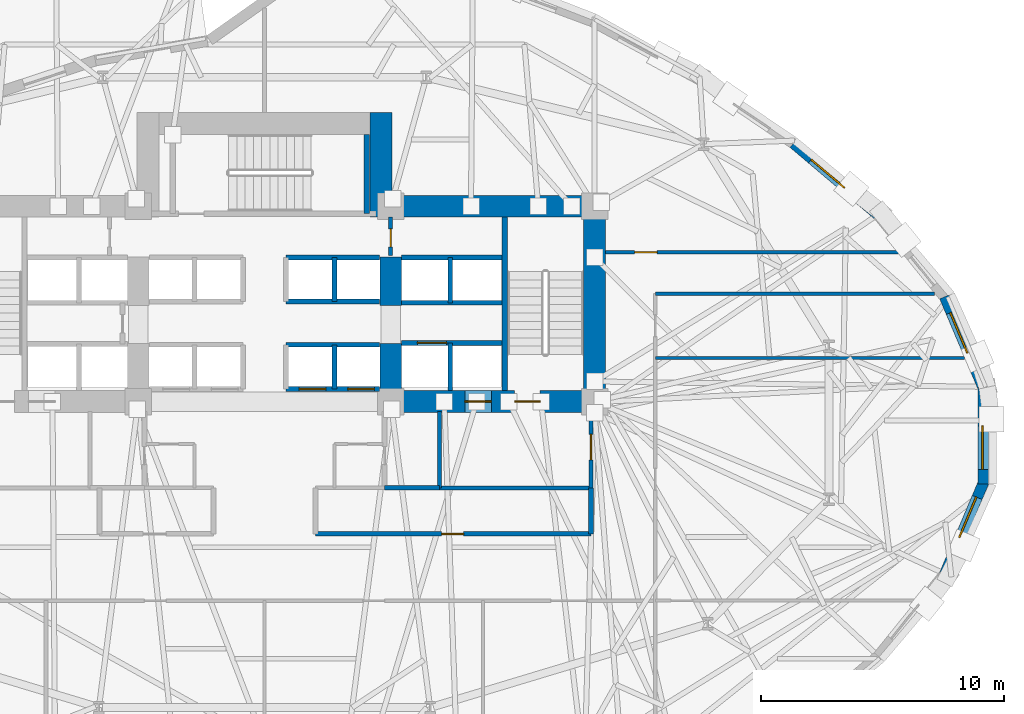
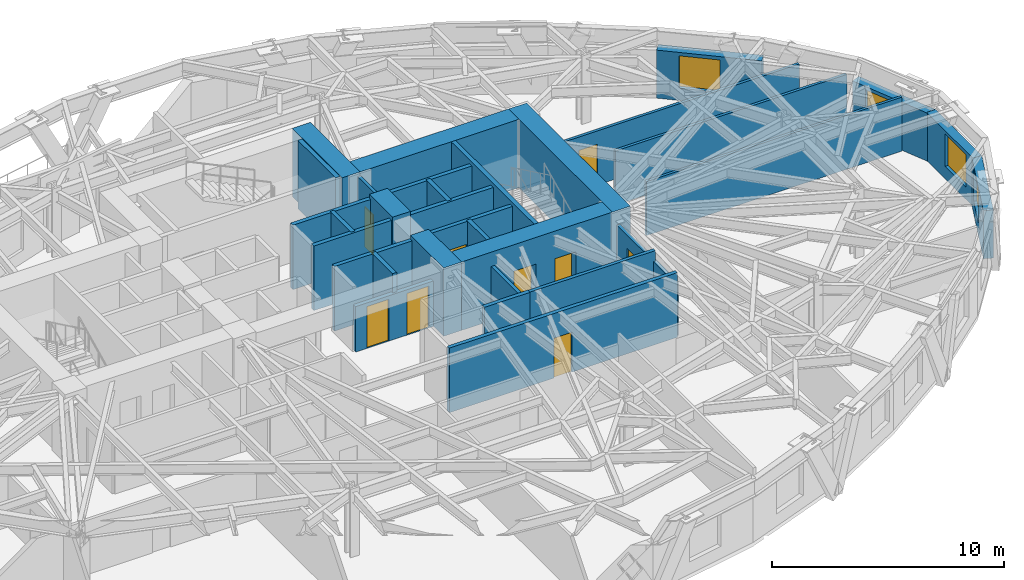
# One storey, part 12 of 17: 33 walls, 9 doors, 4 windows, 13 openings.
"""IFC4 building model written with IfcOpenShell, lengths in metres."""

import ifcopenshell
import ifcopenshell.guid

model = None  # the IFC model being written
_history = None  # IfcOwnerHistory: only IFC2X3 demands one
_inside = {}  # id of a spatial element -> (the spatial element, [elements in it])
_under = {}  # id of a project, library or spatial element -> (it, [spatial elements below it])
_declared = {}  # id of a project -> (the project, [libraries it declares])
_typed = {}  # id of a type object -> (the type object, [elements of that type])
_made_of = {}  # id of a material, layer set ... -> (it, [elements and type objects made of it])


def new_model(schema):
    """Start an empty IFC model of exactly this schema.

    Asked for "IFC4X3", IfcOpenShell would pick the latest addendum, in which some entities
    have other attributes; the version numbers below select the first issue.
    IFC2X3 requires an IfcOwnerHistory on every rooted entity: one is made here for all.
    """
    global model, _history
    if schema == "IFC4X3":
        model = ifcopenshell.file(schema_version=(4, 3, 0, 0))
    else:
        model = ifcopenshell.file(schema=schema)
    _inside.clear()
    _under.clear()
    _declared.clear()
    _typed.clear()
    _made_of.clear()
    _history = None
    if model.schema == "IFC2X3":
        org = make("IfcOrganization", Name="unknown")
        user = make(
            "IfcPersonAndOrganization",
            ThePerson=make("IfcPerson", FamilyName="unknown"),
            TheOrganization=org,
        )
        app = make(
            "IfcApplication",
            ApplicationDeveloper=org,
            Version="unknown",
            ApplicationFullName="unknown",
            ApplicationIdentifier="unknown",
        )
        _history = make(
            "IfcOwnerHistory",
            OwningUser=user,
            OwningApplication=app,
            ChangeAction="ADDED",
            CreationDate=0,
        )
    return model


def make(cls, **values):
    """One entity of the class cls with the attributes given. An attribute that is None is left unset."""
    return model.create_entity(
        cls, **{name: value for name, value in values.items() if value is not None}
    )


def rooted(cls, **values):
    """An entity with a GlobalId (a new one), such as an element, a storey or a relation."""
    return make(cls, GlobalId=ifcopenshell.guid.new(), OwnerHistory=_history, **values)


def si_unit(unit_type, name, prefix=None):
    """IfcSIUnit, for example si_unit("LENGTHUNIT", "METRE", prefix="MILLI")."""
    return make("IfcSIUnit", UnitType=unit_type, Prefix=prefix, Name=name)


def assignment(units):
    """IfcUnitAssignment: the units of a project."""
    return None if units is None else make("IfcUnitAssignment", Units=units)


def point(xyz):
    """IfcCartesianPoint."""
    return None if xyz is None else make("IfcCartesianPoint", Coordinates=xyz)


def direction(xyz):
    """IfcDirection."""
    return None if xyz is None else make("IfcDirection", DirectionRatios=xyz)


def frame(location, z_axis=None, x_axis=None):
    """IfcAxis2Placement3D, a coordinate frame: its origin and axes. An axis left out is left unset."""
    return make(
        "IfcAxis2Placement3D",
        Location=point(location),
        Axis=direction(z_axis),
        RefDirection=direction(x_axis),
    )


def frame_2d(location, x_axis=None):
    """IfcAxis2Placement2D, a coordinate frame in the plane: its origin and x axis."""
    return make(
        "IfcAxis2Placement2D", Location=point(location), RefDirection=direction(x_axis)
    )


def origin():
    """The frame at (0, 0, 0) with its axes left unset."""
    return frame((0.0, 0.0, 0.0))


def place(relative_to, where):
    """IfcLocalPlacement: puts the frame where relative to a parent placement (None: the world)."""
    return make(
        "IfcLocalPlacement", PlacementRelTo=relative_to, RelativePlacement=where
    )


def context(
    kind, dimensions, precision=None, world=None, true_north=None, identifier=None
):
    """IfcGeometricRepresentationContext, for example the 3D "Model" context."""
    return make(
        "IfcGeometricRepresentationContext",
        ContextIdentifier=identifier,
        ContextType=kind,
        CoordinateSpaceDimension=dimensions,
        Precision=precision,
        WorldCoordinateSystem=world,
        TrueNorth=true_north,
    )


def subcontext(parent, identifier, kind, view, scale=None):
    """IfcGeometricRepresentationSubContext, for example "Body" below "Model"."""
    return make(
        "IfcGeometricRepresentationSubContext",
        ContextIdentifier=identifier,
        ContextType=kind,
        ParentContext=parent,
        TargetScale=scale,
        TargetView=view,
    )


def project(units=None, contexts=None):
    """IfcProject with its units and contexts."""
    return rooted(
        "IfcProject",
        Name="project",
        RepresentationContexts=contexts,
        UnitsInContext=assignment(units),
    )


def spatial(cls, under=None, at=None, **own):
    """A site, building, storey or space (cls), placed at a placement, below another one or the project."""
    s = rooted(cls, ObjectPlacement=at, **own)
    if under is not None:
        _under.setdefault(under.id(), (under, []))[1].append(s)
    return s


def profile(cls, at=None, kind="AREA", **sizes):
    """A parametric profile (cls). Its sizes go by their IFC names, for example OverallWidth=200.0."""
    return make(cls, ProfileType=kind, Position=at, **sizes)


def rectangle(**sizes):
    """IfcRectangleProfileDef."""
    return profile("IfcRectangleProfileDef", **sizes)


def extrude(swept, where, along, depth):
    """IfcExtrudedAreaSolid: the profile swept, set in the frame where, extruded along a direction by depth."""
    return make(
        "IfcExtrudedAreaSolid",
        SweptArea=swept,
        Position=where,
        ExtrudedDirection=direction(along),
        Depth=depth,
    )


def shape(context_of_items, identifier, shape_type, items):
    """IfcShapeRepresentation: the items that make up one representation, for example the "Body"."""
    return make(
        "IfcShapeRepresentation",
        ContextOfItems=context_of_items,
        RepresentationIdentifier=identifier,
        RepresentationType=shape_type,
        Items=items,
    )


def material(Name=None, Category=None):
    """IfcMaterial."""
    return make("IfcMaterial", Name=Name, Category=Category)


def layer(
    of_material, thickness, ventilated=None, Name=None, Category=None, Priority=None
):
    """IfcMaterialLayer: one layer of a wall or slab, of a material (None: an air gap)."""
    return make(
        "IfcMaterialLayer",
        Material=of_material,
        LayerThickness=thickness,
        IsVentilated=ventilated,
        Name=Name,
        Category=Category,
        Priority=Priority,
    )


def layer_set(layers, Name=None):
    """IfcMaterialLayerSet."""
    return make("IfcMaterialLayerSet", MaterialLayers=layers, LayerSetName=Name)


def made_of(thing, what):
    """Note that an element or type object is made of a material, layer set ...; save() writes the relation."""
    if what is not None:
        _made_of.setdefault(what.id(), (what, []))[1].append(thing)
    return thing


def type_object(cls, material=None, **own):
    """A type object (cls), such as IfcWallType, which elements share."""
    return made_of(rooted(cls, **own), material)


def element(
    cls,
    number,
    at=None,
    inside=None,
    cuts=None,
    type_object=None,
    material=None,
    context=None,
    identifier="Body",
    shape_type=None,
    held_by="IfcProductDefinitionShape",
    body=None,
    shapes=None,
    **own,
):
    """One element of the class cls, such as IfcWall. Its Tag is "e" and its number.

    at: its placement. inside: the storey or other place that contains it. cuts: it is an
    opening in that element (IfcRelVoidsElement). A single representation is given by context,
    identifier, shape_type and body (its items); several are given by shapes. held_by: the class
    of the entity that holds the representations. save() writes the other relations.
    """
    e = rooted(cls, Tag="e%d" % number, ObjectPlacement=at, **own)
    if body is not None:
        shapes = [shape(context, identifier, shape_type, body)]
    if shapes is not None:
        e.Representation = make(held_by, Representations=shapes)
    if inside is not None:
        _inside.setdefault(inside.id(), (inside, []))[1].append(e)
    if cuts is not None:
        rooted(
            "IfcRelVoidsElement", RelatingBuildingElement=cuts, RelatedOpeningElement=e
        )
    if type_object is not None:
        _typed.setdefault(type_object.id(), (type_object, []))[1].append(e)
    return made_of(e, material)


def fill(opening, filler):
    """IfcRelFillsElement: the door or window that sits in an opening."""
    return rooted(
        "IfcRelFillsElement",
        RelatingOpeningElement=opening,
        RelatedBuildingElement=filler,
    )


def aggregate(whole, parts):
    """IfcRelAggregates: a whole, such as a stair, and the parts it consists of."""
    return rooted("IfcRelAggregates", RelatingObject=whole, RelatedObjects=parts)


def save(model, path):
    """Write the relations noted so far, then the file.

    IfcRelAggregates (storeys below a building ...), IfcRelContainedInSpatialStructure (elements
    in a storey), IfcRelDefinesByType, IfcRelAssociatesMaterial and IfcRelDeclares: one each for
    every whole, place, type object, material and project.
    """
    for whole, parts in _under.values():
        aggregate(whole, parts)
    for where, things in _inside.values():
        rooted(
            "IfcRelContainedInSpatialStructure",
            RelatedElements=things,
            RelatingStructure=where,
        )
    for kind, things in _typed.values():
        rooted("IfcRelDefinesByType", RelatedObjects=things, RelatingType=kind)
    for what, things in _made_of.values():
        rooted("IfcRelAssociatesMaterial", RelatedObjects=things, RelatingMaterial=what)
    for by, libraries in _declared.values():
        rooted("IfcRelDeclares", RelatingContext=by, RelatedDefinitions=libraries)
    model.write(path)


model = new_model("IFC4")

# Units and contexts
model_context = context("Model", 3, precision=1e-05, world=origin(), true_north=direction((0.0, 1.0)))
body_context = subcontext(model_context, "Body", "Model", "MODEL_VIEW")
ifc_project = project(units=[si_unit("LENGTHUNIT", "METRE"), si_unit("AREAUNIT", "SQUARE_METRE"), si_unit("VOLUMEUNIT", "CUBIC_METRE"), si_unit("PLANEANGLEUNIT", "RADIAN"), si_unit("MASSUNIT", "GRAM", prefix="KILO")], contexts=[model_context])

# Site, building, storey
site_placement = place(None, origin())
site = spatial("IfcSite", under=ifc_project, at=site_placement, CompositionType="ELEMENT")
building_placement = place(site_placement, origin())
building = spatial("IfcBuilding", under=site, at=building_placement, Name="Keldmark Tower", CompositionType="ELEMENT")
storey_placement = place(building_placement, frame((0.0, 0.0, 70.199951171875)))
storey = spatial("IfcBuildingStorey", under=building, at=storey_placement, Name="L18", CompositionType="ELEMENT", Elevation=70.199951171875)

# Wall, opening, door
ifc_material_1 = material(Name="Acoustic Double-Layer Gypsum Corridor Partition", Category="gypsum")
ifc_layer_1 = layer(ifc_material_1, 0.139892578125)
ifc_layer_set_1 = layer_set([ifc_layer_1], Name="Acoustic Double-Layer Gypsum Corridor Partition")
wall_type_1 = type_object("IfcWallType", Name="Acoustic Corridor Partition 140 mm", PredefinedType="PARTITIONING", material=ifc_layer_set_1)
wall_1_placement = place(storey_placement, frame((14.050048828125, 7.550048828125, 0.0), z_axis=(0.0, 0.0, 1.0), x_axis=(1.0, 0.0, 0.0)))
wall_1 = element("IfcWall", 1, at=wall_1_placement, inside=storey, type_object=wall_type_1, Name="L18 Acoustic Corridor Partition 140 mm COR-EN-CAP", PredefinedType="PARTITIONING", context=body_context, shape_type="SweptSolid", body=[
    extrude(rectangle(XDim=12.18359375, YDim=0.139892578125, at=frame_2d((6.091796875, 0.0))), origin(), (0.0, 0.0, 1.0), 2.85302734375),
])
opening_1_placement = place(wall_1_placement, frame((1.199951171875, 0.0, 0.0)))
opening_1 = element("IfcOpeningElement", 2, at=opening_1_placement, cuts=wall_1, Name="Opening D-EX092", PredefinedType="OPENING", context=body_context, shape_type="SweptSolid", body=[
    extrude(rectangle(XDim=0.919921875, YDim=2.14990234375, at=frame_2d((0.4599609375, 1.074951171875))), frame((0.0, 0.079833984375, 0.0), z_axis=(0.0, -1.0, 0.0), x_axis=(1.0, 0.0, 0.0)), (0.0, 0.0, 1.0), 0.159912109375),
])
ifc_material_2 = material(Name="Flush American Ash Executive Office Door", Category="wood")
door_type_1 = type_object("IfcDoorType", Name="Executive Office Door 920x2150", OperationType="NOTDEFINED", PredefinedType="DOOR", material=ifc_material_2)
door_1_placement = place(opening_1_placement, origin())
door_1 = element("IfcDoor", 3, at=door_1_placement, inside=storey, type_object=door_type_1, Name="L18 Executive Office Door 920x2150 D-NRNE-L18", OperationType="SINGLE_SWING_RIGHT", OverallHeight=2.14990234375, OverallWidth=0.919921875, PredefinedType="DOOR", context=body_context, shape_type="SweptSolid", body=[
    extrude(rectangle(XDim=0.919921875, YDim=2.14990234375, at=frame_2d((0.4599609375, 1.074951171875))), frame((0.0, 0.02490234375, 0.0), z_axis=(0.0, -1.0, 0.0), x_axis=(1.0, 0.0, 0.0)), (0.0, 0.0, 1.0), 0.050048828125),
])
fill(opening_1, door_1)

# Wall
wall_2_placement = place(storey_placement, frame((16.10009765625, 5.85009765625, 0.0), z_axis=(0.0, 0.0, 1.0), x_axis=(1.0, 0.0, 0.0)))
element("IfcWall", 4, at=wall_2_placement, inside=storey, type_object=wall_type_1, Name="L18 Acoustic Corridor Partition 140 mm COR-EA-S", PredefinedType="PARTITIONING", context=body_context, shape_type="SweptSolid", body=[
    extrude(rectangle(XDim=11.50732421875, YDim=0.139892578125, at=frame_2d((5.753662109375, 0.0))), origin(), (0.0, 0.0, 1.0), 2.85302734375),
])

# Wall, opening, door
ifc_material_3 = material(Name="Heavy Acoustic Plumbing Chase Gypsum Assembly", Category="gypsum")
ifc_layer_2 = layer(ifc_material_3, 0.18994140625)
ifc_layer_set_2 = layer_set([ifc_layer_2], Name="Heavy Acoustic Plumbing Chase Gypsum Assembly")
wall_type_2 = type_object("IfcWallType", Name="Heavy Wet Wall 190 mm", PredefinedType="PLUMBINGWALL", material=ifc_layer_set_2)
wall_3_placement = place(storey_placement, frame((2.10009765625, -4.050048828125, 0.0), z_axis=(0.0, 0.0, 1.0), x_axis=(1.0, 0.0, 0.0)))
wall_3 = element("IfcWall", 5, at=wall_3_placement, inside=storey, type_object=wall_type_2, Name="L18 Heavy Wet Wall 190 mm SPK-E-S", PredefinedType="PLUMBINGWALL", context=body_context, shape_type="SweptSolid", body=[
    extrude(rectangle(XDim=11.349853515625, YDim=0.18994140625, at=frame_2d((5.6748046875, 0.0))), origin(), (0.0, 0.0, 1.0), 3.400146484375),
])
opening_2_placement = place(wall_3_placement, frame((5.199951171875, 0.0, 0.0)))
opening_2 = element("IfcOpeningElement", 6, at=opening_2_placement, cuts=wall_3, Name="Opening D-IN090", PredefinedType="OPENING", context=body_context, shape_type="SweptSolid", body=[
    extrude(rectangle(XDim=0.89990234375, YDim=2.10009765625, at=frame_2d((0.449951171875, 1.050048828125))), frame((0.0, 0.10498046875, 0.0), z_axis=(0.0, -1.0, 0.0), x_axis=(1.0, 0.0, 0.0)), (0.0, 0.0, 1.0), 0.2099609375),
])
ifc_material_4 = material(Name="Stained American White Oak Veneer", Category="wood")
door_type_2 = type_object("IfcDoorType", Name="Interior Door 900x2100", OperationType="NOTDEFINED", PredefinedType="DOOR", material=ifc_material_4)
door_2_placement = place(opening_2_placement, origin())
door_2 = element("IfcDoor", 7, at=door_2_placement, inside=storey, type_object=door_type_2, Name="L18 Interior Door 900x2100 D-SPKE1-L18", OperationType="SINGLE_SWING_RIGHT", OverallHeight=2.10009765625, OverallWidth=0.89990234375, PredefinedType="DOOR", context=body_context, shape_type="SweptSolid", body=[
    extrude(rectangle(XDim=0.89990234375, YDim=2.10009765625, at=frame_2d((0.449951171875, 1.050048828125))), frame((0.0, 0.02490234375, 0.0), z_axis=(0.0, -1.0, 0.0), x_axis=(1.0, 0.0, 0.0)), (0.0, 0.0, 1.0), 0.050048828125),
])
fill(opening_2, door_2)

# Walls
wall_4_placement = place(storey_placement, frame((13.449951171875, -4.050048828125, 0.0), z_axis=(0.0, 0.0, 1.0), x_axis=(0.0, 1.0, 0.0)))
element("IfcWall", 8, at=wall_4_placement, inside=storey, type_object=wall_type_2, Name="L18 Heavy Wet Wall 190 mm SPK-E-E", PredefinedType="PLUMBINGWALL", context=body_context, shape_type="SweptSolid", body=[
    extrude(rectangle(XDim=1.900146484375, YDim=0.18994140625, at=frame_2d((0.9501953125, 0.0))), origin(), (0.0, 0.0, 1.0), 2.85302734375),
])
ifc_material_5 = material(Name="Acoustic Gypsum Board Interior Partition", Category="gypsum")
ifc_layer_3 = layer(ifc_material_5, 0.1298828125)
ifc_layer_set_3 = layer_set([ifc_layer_3], Name="Acoustic Gypsum Board Interior Partition")
wall_type_3 = type_object("IfcWallType", Name="Interior Partition 130 mm", PredefinedType="PARTITIONING", material=ifc_layer_set_3)
wall_5_placement = place(storey_placement, frame((16.10009765625, 3.199951171875, 0.0), z_axis=(0.0, 0.0, 1.0), x_axis=(1.0, 0.0, 0.0)))
element("IfcWall", 9, at=wall_5_placement, inside=storey, type_object=wall_type_3, Name="L18 Interior Partition 130 mm E-DIV-1", PredefinedType="PARTITIONING", context=body_context, shape_type="SweptSolid", body=[
    extrude(rectangle(XDim=12.737060546875, YDim=0.1298828125, at=frame_2d((6.36865234375, 0.0))), origin(), (0.0, 0.0, 1.0), 2.841064453125),
])
ifc_material_6 = material(Name="Concrete C70/85", Category="concrete")
ifc_layer_4 = layer(ifc_material_6, 0.89990234375)
ifc_layer_set_4 = layer_set([ifc_layer_4], Name="Concrete C70/85")
wall_type_4 = type_object("IfcWallType", Name="Lower Core Shear Wall 900 mm", PredefinedType="SHEAR", material=ifc_layer_set_4)
wall_6_placement = place(storey_placement, frame((13.60009765625, 0.949951171875, 0.0), z_axis=(0.0, 0.0, 1.0), x_axis=(0.0, 1.0, 0.0)))
element("IfcWall", 10, at=wall_6_placement, inside=storey, type_object=wall_type_4, Name="L18 East Core Outer Shear Wall", PredefinedType="SHEAR", context=body_context, shape_type="SweptSolid", body=[
    extrude(rectangle(XDim=8.949951171875, YDim=0.89990234375, at=frame_2d((4.47509765625, 0.0))), origin(), (0.0, 0.0, 1.0), 3.60009765625),
])
wall_7_placement = place(storey_placement, frame((4.35009765625, 9.449951171875, 0.0), z_axis=(0.0, 0.0, 1.0), x_axis=(1.0, 0.0, 0.0)))
element("IfcWall", 11, at=wall_7_placement, inside=storey, type_object=wall_type_4, Name="L18 East Core North Shear Wall", PredefinedType="SHEAR", context=body_context, shape_type="SweptSolid", body=[
    extrude(rectangle(XDim=9.699951171875, YDim=0.89990234375, at=frame_2d((4.85009765625, 0.0))), origin(), (0.0, 0.0, 1.0), 3.60009765625),
])

# Wall, openings, doors
wall_8_placement = place(storey_placement, frame((14.050048828125, 1.39990234375, 0.0), z_axis=(0.0, 0.0, 1.0), x_axis=(-1.0, 0.0, 0.0)))
wall_8 = element("IfcWall", 12, at=wall_8_placement, inside=storey, type_object=wall_type_4, Name="L18 East Core South Shear Wall", PredefinedType="SHEAR", context=body_context, shape_type="SweptSolid", body=[
    extrude(rectangle(XDim=9.300048828125, YDim=0.89990234375, at=frame_2d((4.64990234375, 0.0))), origin(), (0.0, 0.0, 1.0), 3.60009765625),
])
opening_3_placement = place(wall_8_placement, frame((2.699951171875, 0.0, 0.0)))
opening_3 = element("IfcOpeningElement", 13, at=opening_3_placement, cuts=wall_8, Name="Opening D-ST105", PredefinedType="OPENING", context=body_context, shape_type="SweptSolid", body=[
    extrude(rectangle(XDim=1.050048828125, YDim=2.14990234375, at=frame_2d((0.52490234375, 1.074951171875))), frame((0.0, 0.4599609375, 0.0), z_axis=(0.0, -1.0, 0.0), x_axis=(1.0, 0.0, 0.0)), (0.0, 0.0, 1.0), 0.919921875),
])
opening_4_placement = place(wall_8_placement, frame((4.699951171875, 0.0, 0.0)))
opening_4 = element("IfcOpeningElement", 14, at=opening_4_placement, cuts=wall_8, Name="Opening LD-110", PredefinedType="OPENING", context=body_context, shape_type="SweptSolid", body=[
    extrude(rectangle(XDim=1.10009765625, YDim=2.199951171875, at=frame_2d((0.550048828125, 1.10009765625))), frame((0.0, 0.4599609375, 0.0), z_axis=(0.0, -1.0, 0.0), x_axis=(1.0, 0.0, 0.0)), (0.0, 0.0, 1.0), 0.919921875),
])
ifc_material_7 = material(Name="Brushed Bronze Hoistway Sliding Leaf", Category="metal")
door_type_3 = type_object("IfcDoorType", Name="Lift Landing Sliding Door 1100x2200", OperationType="SLIDING_TO_LEFT", PredefinedType="DOOR", material=ifc_material_7)
door_3_placement = place(opening_4_placement, origin())
door_3 = element("IfcDoor", 15, at=door_3_placement, inside=storey, type_object=door_type_3, Name="L18 Lift Landing Sliding Door 1100x2200 LD-EL-FS2-L18", OperationType="SLIDING_TO_LEFT", OverallHeight=2.199951171875, OverallWidth=1.10009765625, PredefinedType="DOOR", context=body_context, shape_type="SweptSolid", body=[
    extrude(rectangle(XDim=1.10009765625, YDim=2.199951171875, at=frame_2d((0.550048828125, 1.10009765625))), frame((0.0, 0.02490234375, 0.0), z_axis=(0.0, -1.0, 0.0), x_axis=(1.0, 0.0, 0.0)), (0.0, 0.0, 1.0), 0.050048828125),
])
fill(opening_4, door_3)
ifc_material_8 = material(Name="Hollow Metal Fire-Rated Door Assembly", Category="metal")
door_type_4 = type_object("IfcDoorType", Name="Stair Fire Door 1050x2150", OperationType="NOTDEFINED", PredefinedType="DOOR", material=ifc_material_8)
door_4_placement = place(opening_3_placement, origin())
door_4 = element("IfcDoor", 16, at=door_4_placement, inside=storey, type_object=door_type_4, Name="L18 Stair Fire Door 1050x2150 D-ST2-L18", OperationType="SINGLE_SWING_LEFT", OverallHeight=2.14990234375, OverallWidth=1.050048828125, PredefinedType="DOOR", context=body_context, shape_type="SweptSolid", body=[
    extrude(rectangle(XDim=1.050048828125, YDim=2.14990234375, at=frame_2d((0.52490234375, 1.074951171875))), frame((0.0, 0.02490234375, 0.0), z_axis=(0.0, -1.0, 0.0), x_axis=(1.0, 0.0, 0.0)), (0.0, 0.0, 1.0), 0.050048828125),
])
fill(opening_3, door_4)

# Walls
wall_9_placement = place(storey_placement, frame((5.199951171875, 0.949951171875, 0.0), z_axis=(0.0, 0.0, 1.0), x_axis=(0.0, 1.0, 0.0)))
element("IfcWall", 17, at=wall_9_placement, inside=storey, type_object=wall_type_4, Name="L18 East Core Inner Shear Pier South", PredefinedType="SHEAR", context=body_context, shape_type="SweptSolid", body=[
    extrude(rectangle(XDim=2.85009765625, YDim=0.89990234375, at=frame_2d((1.425048828125, 0.0))), origin(), (0.0, 0.0, 1.0), 3.60009765625),
])
wall_10_placement = place(storey_placement, frame((5.199951171875, 5.35009765625, 0.0), z_axis=(0.0, 0.0, 1.0), x_axis=(0.0, 1.0, 0.0)))
element("IfcWall", 18, at=wall_10_placement, inside=storey, type_object=wall_type_4, Name="L18 East Core Inner Shear Pier North", PredefinedType="SHEAR", context=body_context, shape_type="SweptSolid", body=[
    extrude(rectangle(XDim=2.0, YDim=0.89990234375, at=frame_2d((1.0, 0.0))), origin(), (0.0, 0.0, 1.0), 3.60009765625),
])
wall_11_placement = place(storey_placement, frame((4.800048828125, 9.0, 0.0), z_axis=(0.0, 0.0, 1.0), x_axis=(0.0, 1.0, 0.0)))
element("IfcWall", 19, at=wall_11_placement, inside=storey, type_object=wall_type_4, Name="L18 North Core East Shear Wall", PredefinedType="SHEAR", context=body_context, shape_type="SweptSolid", body=[
    extrude(rectangle(XDim=4.300048828125, YDim=0.89990234375, at=frame_2d((2.14990234375, 0.0))), origin(), (0.0, 0.0, 1.0), 3.60009765625),
])
ifc_material_9 = material(Name="Type X Fire-Rated Gypsum Partition Assembly", Category="gypsum")
ifc_layer_5 = layer(ifc_material_9, 0.1650390625)
ifc_layer_set_5 = layer_set([ifc_layer_5], Name="Type X Fire-Rated Gypsum Partition Assembly")
wall_type_5 = type_object("IfcWallType", Name="Rated Partition 165 mm", PredefinedType="PARTITIONING", material=ifc_layer_set_5)
wall_12_placement = place(storey_placement, frame((7.199951171875, -2.14990234375, 0.0), z_axis=(0.0, 0.0, 1.0), x_axis=(1.0, 0.0, 0.0)))
element("IfcWall", 20, at=wall_12_placement, inside=storey, type_object=wall_type_5, Name="L18 Rated Partition 165 mm FSAE-E-S", PredefinedType="PARTITIONING", context=body_context, shape_type="SweptSolid", body=[
    extrude(rectangle(XDim=6.25, YDim=0.1650390625, at=frame_2d((3.125, 0.0))), origin(), (0.0, 0.0, 1.0), 3.400146484375),
])
wall_13_placement = place(storey_placement, frame((7.199951171875, -2.14990234375, 0.0), z_axis=(0.0, 0.0, 1.0), x_axis=(0.0, 1.0, 0.0)))
element("IfcWall", 21, at=wall_13_placement, inside=storey, type_object=wall_type_5, Name="L18 Rated Partition 165 mm FSAE-E-W", PredefinedType="PARTITIONING", context=body_context, shape_type="SweptSolid", body=[
    extrude(rectangle(XDim=3.14990234375, YDim=0.1650390625, at=frame_2d((1.574951171875, 0.0))), origin(), (0.0, 0.0, 1.0), 2.85302734375),
])

# Wall, opening, door
wall_14_placement = place(storey_placement, frame((13.449951171875, -2.14990234375, 0.0), z_axis=(0.0, 0.0, 1.0), x_axis=(0.0, 1.0, 0.0)))
wall_14 = element("IfcWall", 22, at=wall_14_placement, inside=storey, type_object=wall_type_5, Name="L18 Rated Partition 165 mm FSAE-E-E", PredefinedType="PARTITIONING", context=body_context, shape_type="SweptSolid", body=[
    extrude(rectangle(XDim=3.14990234375, YDim=0.1650390625, at=frame_2d((1.574951171875, 0.0))), origin(), (0.0, 0.0, 1.0), 2.85302734375),
])
opening_5_placement = place(wall_14_placement, frame((1.14990234375, 0.0, 0.0)))
opening_5 = element("IfcOpeningElement", 23, at=opening_5_placement, cuts=wall_14, Name="Opening D-FL105", PredefinedType="OPENING", context=body_context, shape_type="SweptSolid", body=[
    extrude(rectangle(XDim=1.050048828125, YDim=2.14990234375, at=frame_2d((0.52490234375, 1.074951171875))), frame((0.0, 0.092529296875, 0.0), z_axis=(0.0, -1.0, 0.0), x_axis=(1.0, 0.0, 0.0)), (0.0, 0.0, 1.0), 0.18505859375),
])
ifc_material_10 = material(Name="Fire-Rated Mineral-Core Door and Vision Lite", Category="metal")
door_type_5 = type_object("IfcDoorType", Name="Fire Lobby Door 1050x2150", OperationType="NOTDEFINED", PredefinedType="DOOR", material=ifc_material_10)
door_5_placement = place(opening_5_placement, origin())
door_5 = element("IfcDoor", 24, at=door_5_placement, inside=storey, type_object=door_type_5, Name="L18 Fire Lobby Door 1050x2150 D-FSAEE-OUT-L18", OperationType="SINGLE_SWING_LEFT", OverallHeight=2.14990234375, OverallWidth=1.050048828125, PredefinedType="DOOR", context=body_context, shape_type="SweptSolid", body=[
    extrude(rectangle(XDim=1.050048828125, YDim=2.14990234375, at=frame_2d((0.52490234375, 1.074951171875))), frame((0.0, 0.02490234375, 0.0), z_axis=(0.0, -1.0, 0.0), x_axis=(1.0, 0.0, 0.0)), (0.0, 0.0, 1.0), 0.050048828125),
])
fill(opening_5, door_5)

wall_15_placement = place(storey_placement, frame((5.199951171875, 7.419921875, 0.0), z_axis=(0.0, 0.0, 1.0), x_axis=(0.0, 1.0, 0.0)))
wall_15 = element("IfcWall", 25, at=wall_15_placement, inside=storey, type_object=wall_type_5, Name="L18 Rated Partition 165 mm CS-NE-W", PredefinedType="PARTITIONING", context=body_context, shape_type="SweptSolid", body=[
    extrude(rectangle(XDim=1.580078125, YDim=0.1650390625, at=frame_2d((0.7900390625, 0.0))), origin(), (0.0, 0.0, 1.0), 3.400146484375),
])
opening_6_placement = place(wall_15_placement, frame((0.35009765625, 0.0, 0.0)))
opening_6 = element("IfcOpeningElement", 26, at=opening_6_placement, cuts=wall_15, Name="Opening D-RS075", PredefinedType="OPENING", context=body_context, shape_type="SweptSolid", body=[
    extrude(rectangle(XDim=0.75, YDim=2.10009765625, at=frame_2d((0.375, 1.050048828125))), frame((0.0, 0.092529296875, 0.0), z_axis=(0.0, -1.0, 0.0), x_axis=(1.0, 0.0, 0.0)), (0.0, 0.0, 1.0), 0.18505859375),
])
ifc_material_11 = material(Name="Galvanized Fire-Rated Access Leaf", Category="metal")
door_type_6 = type_object("IfcDoorType", Name="Riser Access Door 750x2100", OperationType="NOTDEFINED", PredefinedType="DOOR", material=ifc_material_11)
door_6_placement = place(opening_6_placement, origin())
door_6 = element("IfcDoor", 27, at=door_6_placement, inside=storey, type_object=door_type_6, Name="L18 Riser Access Door 750x2100 D-CSNE1-L18", OperationType="SINGLE_SWING_LEFT", OverallHeight=2.10009765625, OverallWidth=0.75, PredefinedType="DOOR", context=body_context, shape_type="SweptSolid", body=[
    extrude(rectangle(XDim=0.75, YDim=2.10009765625, at=frame_2d((0.375, 1.050048828125))), frame((0.0, 0.02490234375, 0.0), z_axis=(0.0, -1.0, 0.0), x_axis=(1.0, 0.0, 0.0)), (0.0, 0.0, 1.0), 0.050048828125),
])
fill(opening_6, door_6)

# Wall
ifc_material_12 = material(Name="Fire-Resistant Type X Gypsum Shaftliner Coreboard", Category="gypsum")
ifc_layer_6 = layer(ifc_material_12, 0.199951171875)
ifc_layer_set_6 = layer_set([ifc_layer_6], Name="Fire-Resistant Type X Gypsum Shaftliner Coreboard")
wall_type_6 = type_object("IfcWallType", Name="Shaft Wall 200 mm", PredefinedType="SOLIDWALL", material=ifc_layer_set_6)
wall_16_placement = place(storey_placement, frame((4.949951171875, -2.14990234375, 0.0), z_axis=(0.0, 0.0, 1.0), x_axis=(1.0, 0.0, 0.0)))
element("IfcWall", 28, at=wall_16_placement, inside=storey, type_object=wall_type_6, Name="L18 Shaft Wall 200 mm RIS-SE-S", PredefinedType="SOLIDWALL", context=body_context, shape_type="SweptSolid", body=[
    extrude(rectangle(XDim=2.25, YDim=0.199951171875, at=frame_2d((1.125, 0.0))), origin(), (0.0, 0.0, 1.0), 3.400146484375),
])

# Wall, opening, door
wall_17_placement = place(storey_placement, frame((5.64990234375, 3.820068359375, 0.0), z_axis=(0.0, 0.0, 1.0), x_axis=(1.0, 0.0, 0.0)))
wall_17 = element("IfcWall", 29, at=wall_17_placement, inside=storey, type_object=wall_type_6, Name="L18 Shaft Wall 200 mm HW-E-S", PredefinedType="SOLIDWALL", context=body_context, shape_type="SweptSolid", body=[
    extrude(rectangle(XDim=4.130126953125, YDim=0.199951171875, at=frame_2d((2.06494140625, 0.0))), origin(), (0.0, 0.0, 1.0), 3.400146484375),
])
opening_7_placement = place(wall_17_placement, frame((0.64990234375, 0.0, 0.0)))
opening_7 = element("IfcOpeningElement", 30, at=opening_7_placement, cuts=wall_17, Name="Opening LD-120", PredefinedType="OPENING", context=body_context, shape_type="SweptSolid", body=[
    extrude(rectangle(XDim=1.199951171875, YDim=2.199951171875, at=frame_2d((0.60009765625, 1.10009765625))), frame((0.0, 0.10986328125, 0.0), z_axis=(0.0, -1.0, 0.0), x_axis=(1.0, 0.0, 0.0)), (0.0, 0.0, 1.0), 0.219970703125),
])
ifc_material_13 = material(Name="Heavy-Duty Brushed Metal Hoistway Sliding Leaf", Category="metal")
door_type_7 = type_object("IfcDoorType", Name="Service Lift Sliding Door 1200x2200", OperationType="SLIDING_TO_RIGHT", PredefinedType="DOOR", material=ifc_material_13)
door_7_placement = place(opening_7_placement, origin())
door_7 = element("IfcDoor", 31, at=door_7_placement, inside=storey, type_object=door_type_7, Name="L18 Service Lift Sliding Door 1200x2200 LD-EL-SV1-L18", OperationType="SLIDING_TO_RIGHT", OverallHeight=2.199951171875, OverallWidth=1.199951171875, PredefinedType="DOOR", context=body_context, shape_type="SweptSolid", body=[
    extrude(rectangle(XDim=1.199951171875, YDim=2.199951171875, at=frame_2d((0.60009765625, 1.10009765625))), frame((0.0, 0.02490234375, 0.0), z_axis=(0.0, -1.0, 0.0), x_axis=(1.0, 0.0, 0.0)), (0.0, 0.0, 1.0), 0.050048828125),
])
fill(opening_7, door_7)

# Walls
wall_18_placement = place(storey_placement, frame((7.64990234375, 1.85009765625, 0.0), z_axis=(0.0, 0.0, 1.0), x_axis=(0.0, 1.0, 0.0)))
element("IfcWall", 32, at=wall_18_placement, inside=storey, type_object=wall_type_6, Name="L18 Shaft Wall 200 mm HW-E-M", PredefinedType="SOLIDWALL", context=body_context, shape_type="SweptSolid", body=[
    extrude(rectangle(XDim=1.969970703125, YDim=0.199951171875, at=frame_2d((0.98486328125, 0.0))), origin(), (0.0, 0.0, 1.0), 3.400146484375),
])
for number, where, z_axis, x_axis, name in (
    (33, (5.64990234375, 5.469970703125, 0.0), (0.0, 0.0, 1.0), (1.0, 0.0, 0.0), "L18 Shaft Wall 200 mm HW-E-N"),
    (34, (5.64990234375, 7.330078125, 0.0), (0.0, 0.0, 1.0), (1.0, 0.0, 0.0), "L18 Shaft Wall 200 mm HW-E-TOP"),
):
    element("IfcWall", number, at=place(storey_placement, frame(where, z_axis=z_axis, x_axis=x_axis)), inside=storey, type_object=wall_type_6, Name=name, PredefinedType="SOLIDWALL", context=body_context, shape_type="SweptSolid", body=[
        extrude(rectangle(XDim=4.130126953125, YDim=0.199951171875, at=frame_2d((2.06494140625, 0.0))), origin(), (0.0, 0.0, 1.0), 3.400146484375),
    ])
wall_19_placement = place(storey_placement, frame((7.64990234375, 5.469970703125, 0.0), z_axis=(0.0, 0.0, 1.0), x_axis=(0.0, 1.0, 0.0)))
element("IfcWall", 35, at=wall_19_placement, inside=storey, type_object=wall_type_6, Name="L18 Shaft Wall 200 mm HW-E-NM", PredefinedType="SOLIDWALL", context=body_context, shape_type="SweptSolid", body=[
    extrude(rectangle(XDim=1.860107421875, YDim=0.199951171875, at=frame_2d((0.93017578125, 0.0))), origin(), (0.0, 0.0, 1.0), 3.400146484375),
])

# Wall, openings, doors
wall_20_placement = place(storey_placement, frame((0.8798828125, 1.919921875, 0.0), z_axis=(0.0, 0.0, 1.0), x_axis=(1.0, 0.0, 0.0)))
wall_20 = element("IfcWall", 36, at=wall_20_placement, inside=storey, type_object=wall_type_6, Name="L18 Shaft Wall 200 mm LOW-S-E", PredefinedType="SOLIDWALL", context=body_context, shape_type="SweptSolid", body=[
    extrude(rectangle(XDim=3.860107421875, YDim=0.199951171875, at=frame_2d((1.93017578125, 0.0))), origin(), (0.0, 0.0, 1.0), 2.39013671875),
])
opening_8_placement = place(wall_20_placement, frame((0.550048828125, 0.0, 0.0)))
opening_8 = element("IfcOpeningElement", 37, at=opening_8_placement, cuts=wall_20, Name="Opening LD-110", PredefinedType="OPENING", context=body_context, shape_type="SweptSolid", body=[
    extrude(rectangle(XDim=1.10009765625, YDim=2.199951171875, at=frame_2d((0.550048828125, 1.10009765625))), frame((0.0, 0.10986328125, 0.0), z_axis=(0.0, -1.0, 0.0), x_axis=(1.0, 0.0, 0.0)), (0.0, 0.0, 1.0), 0.219970703125),
])
opening_9_placement = place(wall_20_placement, frame((2.550048828125, 0.0, 0.0)))
opening_9 = element("IfcOpeningElement", 38, at=opening_9_placement, cuts=wall_20, Name="Opening LD-110", PredefinedType="OPENING", context=body_context, shape_type="SweptSolid", body=[
    extrude(rectangle(XDim=1.10009765625, YDim=2.199951171875, at=frame_2d((0.550048828125, 1.10009765625))), frame((0.0, 0.10986328125, 0.0), z_axis=(0.0, -1.0, 0.0), x_axis=(1.0, 0.0, 0.0)), (0.0, 0.0, 1.0), 0.219970703125),
])
door_8_placement = place(opening_8_placement, origin())
door_8 = element("IfcDoor", 39, at=door_8_placement, inside=storey, type_object=door_type_3, Name="L18 Lift Landing Sliding Door 1100x2200 LD-EL-L3-L18", OperationType="SLIDING_TO_LEFT", OverallHeight=2.199951171875, OverallWidth=1.10009765625, PredefinedType="DOOR", context=body_context, shape_type="SweptSolid", body=[
    extrude(rectangle(XDim=1.10009765625, YDim=2.199951171875, at=frame_2d((0.550048828125, 1.10009765625))), frame((0.0, 0.02490234375, 0.0), z_axis=(0.0, -1.0, 0.0), x_axis=(1.0, 0.0, 0.0)), (0.0, 0.0, 1.0), 0.050048828125),
])
fill(opening_8, door_8)
door_9_placement = place(opening_9_placement, origin())
door_9 = element("IfcDoor", 40, at=door_9_placement, inside=storey, type_object=door_type_3, Name="L18 Lift Landing Sliding Door 1100x2200 LD-EL-L4-L18", OperationType="SLIDING_TO_LEFT", OverallHeight=2.199951171875, OverallWidth=1.10009765625, PredefinedType="DOOR", context=body_context, shape_type="SweptSolid", body=[
    extrude(rectangle(XDim=1.10009765625, YDim=2.199951171875, at=frame_2d((0.550048828125, 1.10009765625))), frame((0.0, 0.02490234375, 0.0), z_axis=(0.0, -1.0, 0.0), x_axis=(1.0, 0.0, 0.0)), (0.0, 0.0, 1.0), 0.050048828125),
])
fill(opening_9, door_9)

# Walls
wall_21_placement = place(storey_placement, frame((0.8798828125, 3.739990234375, 0.0), z_axis=(0.0, 0.0, 1.0), x_axis=(1.0, 0.0, 0.0)))
element("IfcWall", 41, at=wall_21_placement, inside=storey, type_object=wall_type_6, Name="L18 Shaft Wall 200 mm LOW-N-E", PredefinedType="SOLIDWALL", context=body_context, shape_type="SweptSolid", body=[
    extrude(rectangle(XDim=3.860107421875, YDim=0.199951171875, at=frame_2d((1.93017578125, 0.0))), origin(), (0.0, 0.0, 1.0), 3.400146484375),
])
wall_22_placement = place(storey_placement, frame((2.8798828125, 1.919921875, 0.0), z_axis=(0.0, 0.0, 1.0), x_axis=(0.0, 1.0, 0.0)))
element("IfcWall", 42, at=wall_22_placement, inside=storey, type_object=wall_type_6, Name="L18 Shaft Wall 200 mm LOW-M-E", PredefinedType="SOLIDWALL", context=body_context, shape_type="SweptSolid", body=[
    extrude(rectangle(XDim=1.820068359375, YDim=0.199951171875, at=frame_2d((0.91015625, 0.0))), origin(), (0.0, 0.0, 1.0), 3.400146484375),
])
for number, where, z_axis, x_axis, name in (
    (43, (0.8798828125, 5.52001953125, 0.0), (0.0, 0.0, 1.0), (1.0, 0.0, 0.0), "L18 Shaft Wall 200 mm MID-S-E"),
    (44, (0.8798828125, 7.330078125, 0.0), (0.0, 0.0, 1.0), (1.0, 0.0, 0.0), "L18 Shaft Wall 200 mm MID-N-E"),
):
    element("IfcWall", number, at=place(storey_placement, frame(where, z_axis=z_axis, x_axis=x_axis)), inside=storey, type_object=wall_type_6, Name=name, PredefinedType="SOLIDWALL", context=body_context, shape_type="SweptSolid", body=[
        extrude(rectangle(XDim=3.860107421875, YDim=0.199951171875, at=frame_2d((1.93017578125, 0.0))), origin(), (0.0, 0.0, 1.0), 3.400146484375),
    ])
wall_23_placement = place(storey_placement, frame((2.8798828125, 5.52001953125, 0.0), z_axis=(0.0, 0.0, 1.0), x_axis=(0.0, 1.0, 0.0)))
element("IfcWall", 45, at=wall_23_placement, inside=storey, type_object=wall_type_6, Name="L18 Shaft Wall 200 mm MID-M-E", PredefinedType="SOLIDWALL", context=body_context, shape_type="SweptSolid", body=[
    extrude(rectangle(XDim=1.81005859375, YDim=0.199951171875, at=frame_2d((0.905029296875, 0.0))), origin(), (0.0, 0.0, 1.0), 3.400146484375),
])
ifc_material_14 = material(Name="Concrete C50/60", Category="concrete")
ifc_layer_7 = layer(ifc_material_14, 0.219970703125)
ifc_layer_set_7 = layer_set([ifc_layer_7], Name="Concrete C50/60")
wall_type_7 = type_object("IfcWallType", Name="Stair Core Shear Wall 220 mm", PredefinedType="SHEAR", material=ifc_layer_set_7)
wall_24_placement = place(storey_placement, frame((9.889892578125, 1.85009765625, 0.0), z_axis=(0.0, 0.0, 1.0), x_axis=(0.0, 1.0, 0.0)))
element("IfcWall", 46, at=wall_24_placement, inside=storey, type_object=wall_type_7, Name="L18 East Stair Core Shear Wall", PredefinedType="SHEAR", context=body_context, shape_type="SweptSolid", body=[
    extrude(rectangle(XDim=7.14990234375, YDim=0.219970703125, at=frame_2d((3.574951171875, 0.0))), origin(), (0.0, 0.0, 1.0), 3.60009765625),
])
wall_25_placement = place(storey_placement, frame((4.215087890625, 9.139892578125, 0.0), z_axis=(0.0, 0.0, 1.0), x_axis=(0.0, 1.0, 0.0)))
element("IfcWall", 47, at=wall_25_placement, inside=storey, type_object=wall_type_7, Name="L18 Central Stair Core East Shear Wall", PredefinedType="SHEAR", context=body_context, shape_type="SweptSolid", body=[
    extrude(rectangle(XDim=3.260009765625, YDim=0.219970703125, at=frame_2d((1.6298828125, 0.0))), origin(), (0.0, 0.0, 1.0), 3.60009765625),
])

# Wall, opening, window
ifc_material_15 = material(Name="Ironspot Manganese Brick and Kasota Buff Limestone Spandrel Assembly", Category="masonry")
ifc_layer_8 = layer(ifc_material_15, 0.43994140625)
ifc_layer_set_8 = layer_set([ifc_layer_8], Name="Ironspot Manganese Brick and Kasota Buff Limestone Spandrel Assembly")
wall_type_8 = type_object("IfcWallType", Name="Tower Brick Pier and Spandrel Wall 440 mm", PredefinedType="STANDARD", material=ifc_layer_set_8)
wall_26_placement = place(storey_placement, frame((28.017333984375, 5.71875, 0.0), z_axis=(0.0, 0.0, 1.0), x_axis=(0.39024393086, -0.92071150445, 0.0)))
wall_26 = element("IfcWall", 48, at=wall_26_placement, inside=storey, type_object=wall_type_8, Name="L18 Exterior Brick and Spandrel Wall 01", PredefinedType="STANDARD", context=body_context, shape_type="SweptSolid", body=[
    extrude(rectangle(XDim=4.140380859375, YDim=0.43994140625, at=frame_2d((2.0703125, 0.0))), origin(), (0.0, 0.0, 1.0), 2.529052734375),
])
opening_10_placement = place(wall_26_placement, frame((0.697509765625, 0.0, 0.64990234375)))
opening_10 = element("IfcOpeningElement", 49, at=opening_10_placement, cuts=wall_26, Name="Opening W-02", PredefinedType="OPENING", context=body_context, shape_type="SweptSolid", body=[
    extrude(rectangle(XDim=1.800048828125, YDim=1.699951171875, at=frame_2d((0.89990234375, 0.85009765625))), frame((0.0, 0.22998046875, 0.0), z_axis=(0.0, -1.0, 0.0), x_axis=(1.0, 0.0, 0.0)), (0.0, 0.0, 1.0), 0.4599609375),
])
ifc_material_16 = material(Name="Thermally Broken Anodized Aluminum and Triple Low-E Argon Glazing", Category="aluminium")
window_type = type_object("IfcWindowType", Name="Office Deep-Set Triple Window 1800x1700", PartitioningType="TRIPLE_PANEL_VERTICAL", PredefinedType="WINDOW", material=ifc_material_16)
window_1_placement = place(opening_10_placement, origin())
window_1 = element("IfcWindow", 50, at=window_1_placement, inside=storey, type_object=window_type, Name="L18 Deep-Set Window 01", OverallHeight=1.699951171875, OverallWidth=1.800048828125, PartitioningType="SINGLE_PANEL", PredefinedType="WINDOW", context=body_context, shape_type="SweptSolid", body=[
    extrude(rectangle(XDim=1.800048828125, YDim=1.699951171875, at=frame_2d((0.89990234375, 0.85009765625))), frame((0.0, -0.010009765625, 0.0), z_axis=(0.0, -1.0, 0.0), x_axis=(1.0, 0.0, 0.0)), (0.0, 0.0, 1.0), 0.06005859375),
])
fill(opening_10, window_1)

wall_27_placement = place(storey_placement, frame((21.790771484375, 12.037353515625, 0.0), z_axis=(0.0, 0.0, 1.0), x_axis=(0.763546839071, -0.645752448346, 0.0)))
wall_27 = element("IfcWall", 51, at=wall_27_placement, inside=storey, type_object=wall_type_8, Name="L18 Exterior Brick and Spandrel Wall 03", PredefinedType="STANDARD", context=body_context, shape_type="SweptSolid", body=[
    extrude(rectangle(XDim=4.613525390625, YDim=0.43994140625, at=frame_2d((2.306640625, 0.0))), origin(), (0.0, 0.0, 1.0), 2.529052734375),
])
opening_11_placement = place(wall_27_placement, frame((0.988037109375, 0.0, 0.64990234375)))
opening_11 = element("IfcOpeningElement", 52, at=opening_11_placement, cuts=wall_27, Name="Opening W-02", PredefinedType="OPENING", context=body_context, shape_type="SweptSolid", body=[
    extrude(rectangle(XDim=1.800048828125, YDim=1.699951171875, at=frame_2d((0.89990234375, 0.85009765625))), frame((0.0, 0.22998046875, 0.0), z_axis=(0.0, -1.0, 0.0), x_axis=(1.0, 0.0, 0.0)), (0.0, 0.0, 1.0), 0.4599609375),
])
window_2_placement = place(opening_11_placement, origin())
window_2 = element("IfcWindow", 53, at=window_2_placement, inside=storey, type_object=window_type, Name="L18 Deep-Set Window 03", OverallHeight=1.699951171875, OverallWidth=1.800048828125, PartitioningType="SINGLE_PANEL", PredefinedType="WINDOW", context=body_context, shape_type="SweptSolid", body=[
    extrude(rectangle(XDim=1.800048828125, YDim=1.699951171875, at=frame_2d((0.89990234375, 0.85009765625))), frame((0.0, -0.010009765625, 0.0), z_axis=(0.0, -1.0, 0.0), x_axis=(1.0, 0.0, 0.0)), (0.0, 0.0, 1.0), 0.06005859375),
])
fill(opening_11, window_2)

wall_28_placement = place(storey_placement, frame((29.633056640625, -1.90673828125, 0.0), z_axis=(0.0, 0.0, 1.0), x_axis=(-0.39024393086, -0.92071150445, 0.0)))
wall_28 = element("IfcWall", 54, at=wall_28_placement, inside=storey, type_object=wall_type_8, Name="L18 Exterior Brick and Spandrel Wall 31", PredefinedType="STANDARD", context=body_context, shape_type="SweptSolid", body=[
    extrude(rectangle(XDim=4.140380859375, YDim=0.43994140625, at=frame_2d((2.0703125, 0.0))), origin(), (0.0, 0.0, 1.0), 2.529052734375),
])
opening_12_placement = place(wall_28_placement, frame((0.697509765625, 0.0, 0.64990234375)))
opening_12 = element("IfcOpeningElement", 55, at=opening_12_placement, cuts=wall_28, Name="Opening W-02", PredefinedType="OPENING", context=body_context, shape_type="SweptSolid", body=[
    extrude(rectangle(XDim=1.800048828125, YDim=1.699951171875, at=frame_2d((0.89990234375, 0.85009765625))), frame((0.0, 0.22998046875, 0.0), z_axis=(0.0, -1.0, 0.0), x_axis=(1.0, 0.0, 0.0)), (0.0, 0.0, 1.0), 0.4599609375),
])
window_3_placement = place(opening_12_placement, origin())
window_3 = element("IfcWindow", 56, at=window_3_placement, inside=storey, type_object=window_type, Name="L18 Deep-Set Window 31", OverallHeight=1.699951171875, OverallWidth=1.800048828125, PartitioningType="SINGLE_PANEL", PredefinedType="WINDOW", context=body_context, shape_type="SweptSolid", body=[
    extrude(rectangle(XDim=1.800048828125, YDim=1.699951171875, at=frame_2d((0.89990234375, 0.85009765625))), frame((0.0, -0.010009765625, 0.0), z_axis=(0.0, -1.0, 0.0), x_axis=(1.0, 0.0, 0.0)), (0.0, 0.0, 1.0), 0.06005859375),
])
fill(opening_12, window_3)

wall_29_placement = place(storey_placement, frame((29.615478515625, 1.99267578125, 0.0), z_axis=(0.0, 0.0, 1.0), x_axis=(0.0, -1.0, 0.0)))
wall_29 = element("IfcWall", 57, at=wall_29_placement, inside=storey, type_object=wall_type_8, Name="L18 Exterior Brick and Spandrel Wall 32", PredefinedType="STANDARD", context=body_context, shape_type="SweptSolid", body=[
    extrude(rectangle(XDim=3.9853515625, YDim=0.43994140625, at=frame_2d((1.99267578125, 0.0))), origin(), (0.0, 0.0, 1.0), 2.529052734375),
])
opening_13_placement = place(wall_29_placement, frame((1.58837890625, 0.0, 0.64990234375)))
opening_13 = element("IfcOpeningElement", 58, at=opening_13_placement, cuts=wall_29, Name="Opening W-02", PredefinedType="OPENING", context=body_context, shape_type="SweptSolid", body=[
    extrude(rectangle(XDim=1.800048828125, YDim=1.699951171875, at=frame_2d((0.89990234375, 0.85009765625))), frame((0.0, 0.22998046875, 0.0), z_axis=(0.0, -1.0, 0.0), x_axis=(1.0, 0.0, 0.0)), (0.0, 0.0, 1.0), 0.4599609375),
])
window_4_placement = place(opening_13_placement, origin())
window_4 = element("IfcWindow", 59, at=window_4_placement, inside=storey, type_object=window_type, Name="L18 Deep-Set Window 32", OverallHeight=1.699951171875, OverallWidth=1.800048828125, PartitioningType="SINGLE_PANEL", PredefinedType="WINDOW", context=body_context, shape_type="SweptSolid", body=[
    extrude(rectangle(XDim=1.800048828125, YDim=1.699951171875, at=frame_2d((0.89990234375, 0.85009765625))), frame((0.0, -0.010009765625, 0.0), z_axis=(0.0, -1.0, 0.0), x_axis=(1.0, 0.0, 0.0)), (0.0, 0.0, 1.0), 0.06005859375),
])
fill(opening_13, window_4)

save(model, "model.ifc")
